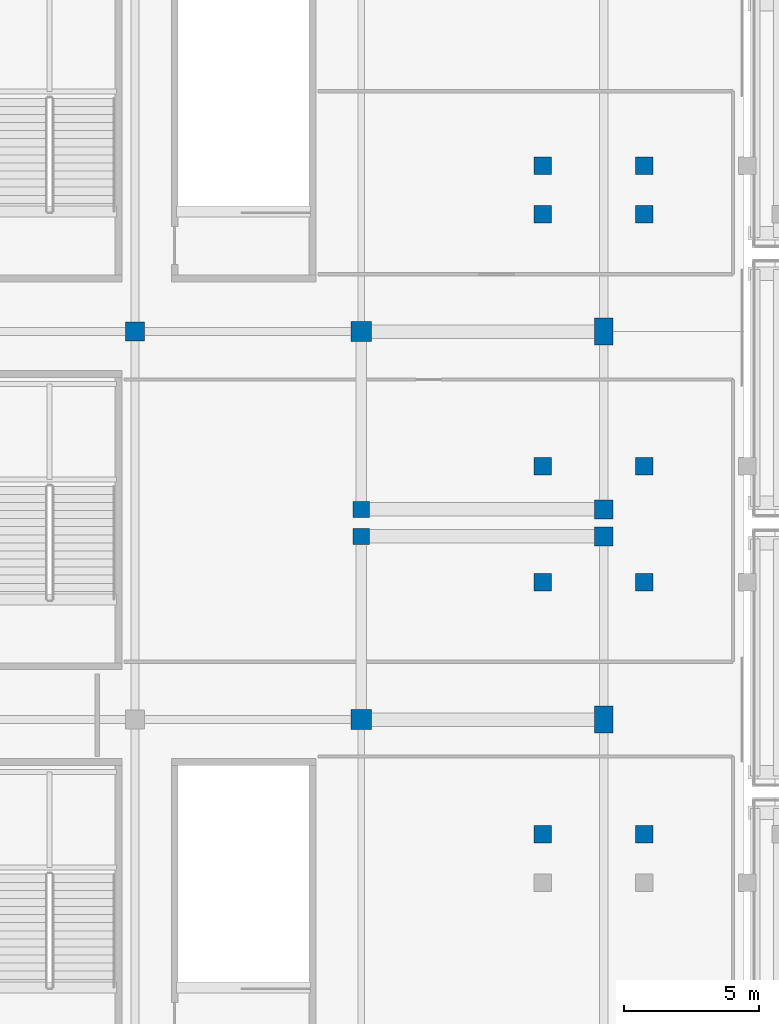
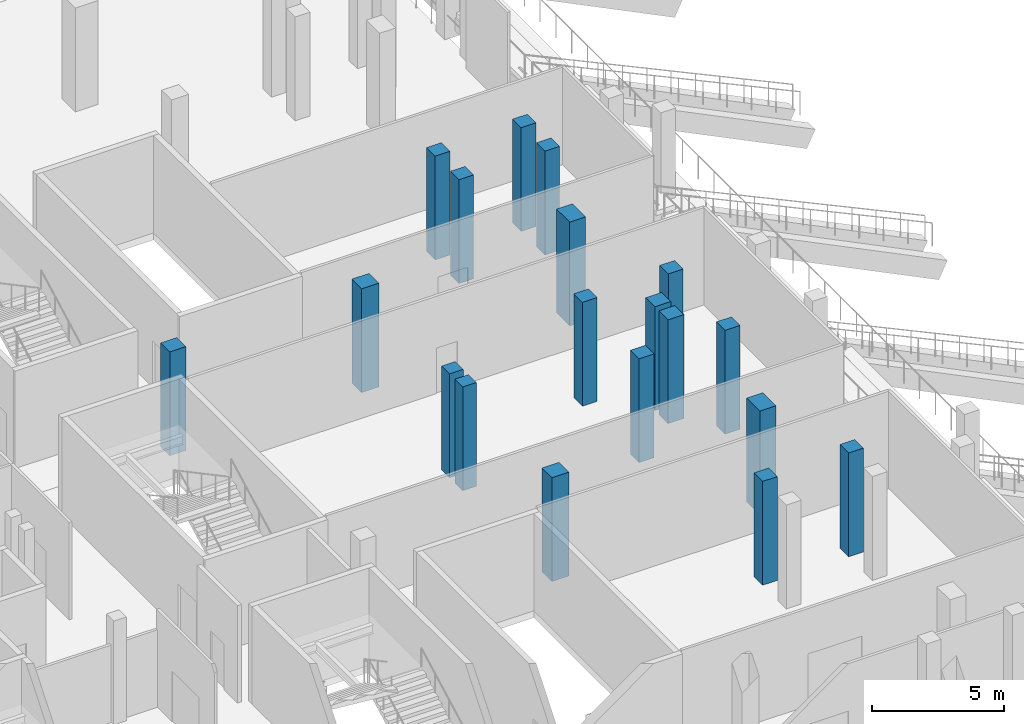
# One storey, part 6 of 129: 19 columns.
"""IFC4 building model written with IfcOpenShell, lengths in metres."""

from ifc_helpers import new_model, si_unit, direction, frame, origin, origin_2d, place, context, subcontext, project, spatial, rectangle, extrude, material, material_profile, profile_set, type_object, element, save


model = new_model("IFC4")

# Units and contexts
model_context = context("Model", 3, precision=1e-05, world=origin(), true_north=direction((0.0, 1.0)))
body_context = subcontext(model_context, "Body", "Model", "MODEL_VIEW")
ifc_project = project(units=[si_unit("LENGTHUNIT", "METRE"), si_unit("AREAUNIT", "SQUARE_METRE"), si_unit("VOLUMEUNIT", "CUBIC_METRE"), si_unit("PLANEANGLEUNIT", "RADIAN"), si_unit("MASSUNIT", "GRAM", prefix="KILO")], contexts=[model_context])

# Site, building, storey
site_placement = place(None, origin())
site = spatial("IfcSite", under=ifc_project, at=site_placement, CompositionType="ELEMENT")
building_placement = place(site_placement, origin())
building = spatial("IfcBuilding", under=site, at=building_placement, Name="Koshinbarg Plaza Stadium", CompositionType="ELEMENT")
storey_placement = place(building_placement, frame((0.0, 0.0, 5.39990234375)))
storey = spatial("IfcBuildingStorey", under=building, at=storey_placement, Name="L01", CompositionType="ELEMENT", Elevation=5.39990234375)

# Columns
ifc_material = material(Name="Concrete C40/50", Category="concrete")
ifc_material_profile_1 = material_profile(ifc_material, rectangle(XDim=0.60009765625, YDim=0.60009765625, at=origin_2d()), Name="RC 600x600")
ifc_profile_set_1 = profile_set([ifc_material_profile_1], Name="Concrete C40/50")
column_type_1 = type_object("IfcColumnType", Name="COL-RC-04", PredefinedType="COLUMN", material=ifc_profile_set_1)
for number, where, z_axis, x_axis, name in (
    (1, (54.60009765625, 75.5, 0.0), (0.0, 0.0, 1.0), (1.0, 0.0, 0.0), "L01 column 8/K"),
    (2, (54.60009765625, 76.5, 0.0), (0.0, 0.0, 1.0), (1.0, 0.0, 0.0), "L01 column 8/L"),
):
    element("IfcColumn", number, at=place(storey_placement, frame(where, z_axis=z_axis, x_axis=x_axis)), inside=storey, type_object=column_type_1, Name=name, PredefinedType="COLUMN", context=body_context, shape_type="SweptSolid", body=[
        extrude(rectangle(XDim=0.60009765625, YDim=0.60009765625, at=origin_2d()), origin(), (0.0, 0.0, 1.0), 4.800048828125),
    ])
ifc_material_profile_2 = material_profile(ifc_material, rectangle(XDim=0.64990234375, YDim=0.64990234375, at=origin_2d()), Name="RC 650x650")
ifc_profile_set_2 = profile_set([ifc_material_profile_2], Name="Concrete C40/50")
column_type_2 = type_object("IfcColumnType", Name="COL-RC-05", PredefinedType="COLUMN", material=ifc_profile_set_2)
for number, where, z_axis, x_axis, name in (
    (3, (65.10009765625, 64.449951171875, 0.0), (0.0, 0.0, 1.0), (1.0, 0.0, 0.0), "L01 bowl raker column UT-W04-L-CM"),
    (4, (61.340087890625, 64.449951171875, 0.0), (0.0, 0.0, 1.0), (1.0, 0.0, 0.0), "L01 bowl raker column UT-W04-L-CB"),
    (5, (65.10009765625, 73.800048828125, 0.0), (0.0, 0.0, 1.0), (1.0, 0.0, 0.0), "L01 bowl raker column UT-W04-R-CM"),
    (6, (61.340087890625, 73.800048828125, 0.0), (0.0, 0.0, 1.0), (1.0, 0.0, 0.0), "L01 bowl raker column UT-W04-R-CB"),
    (7, (65.10009765625, 78.10009765625, 0.0), (0.0, 0.0, 1.0), (1.0, 0.0, 0.0), "L01 bowl raker column UT-W05-L-CM"),
    (8, (61.340087890625, 78.10009765625, 0.0), (0.0, 0.0, 1.0), (1.0, 0.0, 0.0), "L01 bowl raker column UT-W05-L-CB"),
    (9, (65.10009765625, 87.449951171875, 0.0), (0.0, 0.0, 1.0), (1.0, 0.0, 0.0), "L01 bowl raker column UT-W05-R-CM"),
    (10, (61.340087890625, 87.449951171875, 0.0), (0.0, 0.0, 1.0), (1.0, 0.0, 0.0), "L01 bowl raker column UT-W05-R-CB"),
    (11, (65.10009765625, 89.25, 0.0), (0.0, 0.0, 1.0), (1.0, 0.0, 0.0), "L01 bowl raker column UT-W06-L-CM"),
    (12, (61.340087890625, 89.25, 0.0), (0.0, 0.0, 1.0), (1.0, 0.0, 0.0), "L01 bowl raker column UT-W06-L-CB"),
):
    element("IfcColumn", number, at=place(storey_placement, frame(where, z_axis=z_axis, x_axis=x_axis)), inside=storey, type_object=column_type_2, Name=name, PredefinedType="COLUMN", context=body_context, shape_type="SweptSolid", body=[
        extrude(rectangle(XDim=0.64990234375, YDim=0.64990234375, at=origin_2d()), origin(), (0.0, 0.0, 1.0), 4.800048828125),
    ])
ifc_material_profile_3 = material_profile(ifc_material, rectangle(XDim=0.699951171875, YDim=0.699951171875, at=origin_2d()), Name="RC 700x700")
ifc_profile_set_3 = profile_set([ifc_material_profile_3], Name="Concrete C40/50")
column_type_3 = type_object("IfcColumnType", Name="COL-RC-06", PredefinedType="COLUMN", material=ifc_profile_set_3)
for number, where, z_axis, x_axis, name in (
    (13, (46.199951171875, 83.10009765625, 0.0), (0.0, 0.0, 1.0), (1.0, 0.0, 0.0), "L01 column 7/M"),
    (14, (63.60009765625, 75.5, 0.0), (0.0, 0.0, 1.0), (1.0, 0.0, 0.0), "L01 column 9/K"),
    (15, (63.60009765625, 76.5, 0.0), (0.0, 0.0, 1.0), (1.0, 0.0, 0.0), "L01 column 9/L"),
):
    element("IfcColumn", number, at=place(storey_placement, frame(where, z_axis=z_axis, x_axis=x_axis)), inside=storey, type_object=column_type_3, Name=name, PredefinedType="COLUMN", context=body_context, shape_type="SweptSolid", body=[
        extrude(rectangle(XDim=0.699951171875, YDim=0.699951171875, at=origin_2d()), origin(), (0.0, 0.0, 1.0), 4.800048828125),
    ])
ifc_material_profile_4 = material_profile(ifc_material, rectangle(XDim=0.75, YDim=0.75, at=origin_2d()), Name="RC 750x750")
ifc_profile_set_4 = profile_set([ifc_material_profile_4], Name="Concrete C40/50")
column_type_4 = type_object("IfcColumnType", Name="COL-RC-07", PredefinedType="COLUMN", material=ifc_profile_set_4)
for number, where, z_axis, x_axis, name in (
    (16, (54.60009765625, 68.699951171875, 0.0), (0.0, 0.0, 1.0), (1.0, 0.0, 0.0), "L01 column 8/J"),
    (17, (54.60009765625, 83.10009765625, 0.0), (0.0, 0.0, 1.0), (1.0, 0.0, 0.0), "L01 column 8/M"),
):
    element("IfcColumn", number, at=place(storey_placement, frame(where, z_axis=z_axis, x_axis=x_axis)), inside=storey, type_object=column_type_4, Name=name, PredefinedType="COLUMN", context=body_context, shape_type="SweptSolid", body=[
        extrude(rectangle(XDim=0.75, YDim=0.75, at=origin_2d()), origin(), (0.0, 0.0, 1.0), 4.800048828125),
    ])
ifc_material_profile_5 = material_profile(ifc_material, rectangle(XDim=0.699951171875, YDim=1.0, at=origin_2d()), Name="RC 700x1000")
ifc_profile_set_5 = profile_set([ifc_material_profile_5], Name="Concrete C40/50")
column_type_5 = type_object("IfcColumnType", Name="COL-RC-13", PredefinedType="COLUMN", material=ifc_profile_set_5)
for number, where, z_axis, x_axis, name in (
    (18, (63.60009765625, 68.699951171875, 0.0), (0.0, 0.0, 1.0), (1.0, 0.0, 0.0), "L01 column 9/J"),
    (19, (63.60009765625, 83.10009765625, 0.0), (0.0, 0.0, 1.0), (1.0, 0.0, 0.0), "L01 column 9/M"),
):
    element("IfcColumn", number, at=place(storey_placement, frame(where, z_axis=z_axis, x_axis=x_axis)), inside=storey, type_object=column_type_5, Name=name, PredefinedType="COLUMN", context=body_context, shape_type="SweptSolid", body=[
        extrude(rectangle(XDim=0.699951171875, YDim=1.0, at=origin_2d()), origin(), (0.0, 0.0, 1.0), 4.800048828125),
    ])

save(model, "model.ifc")
